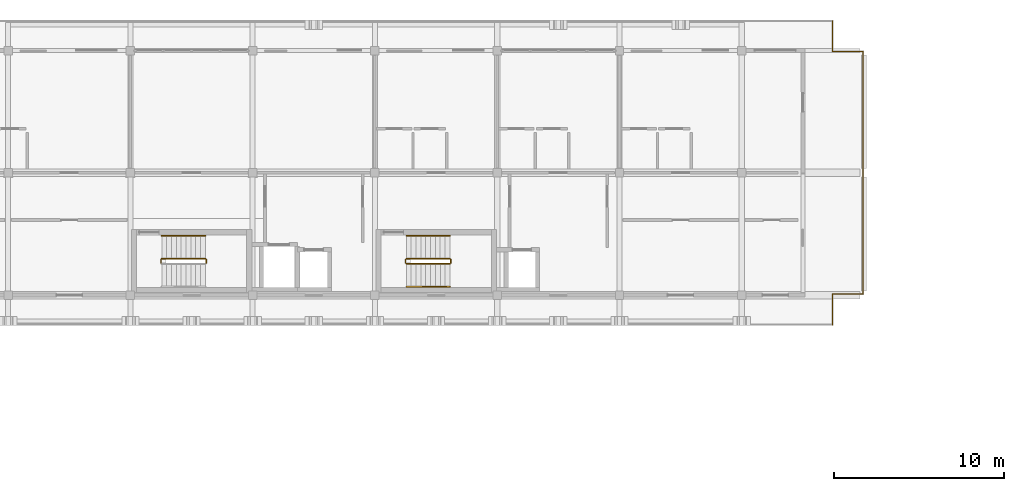
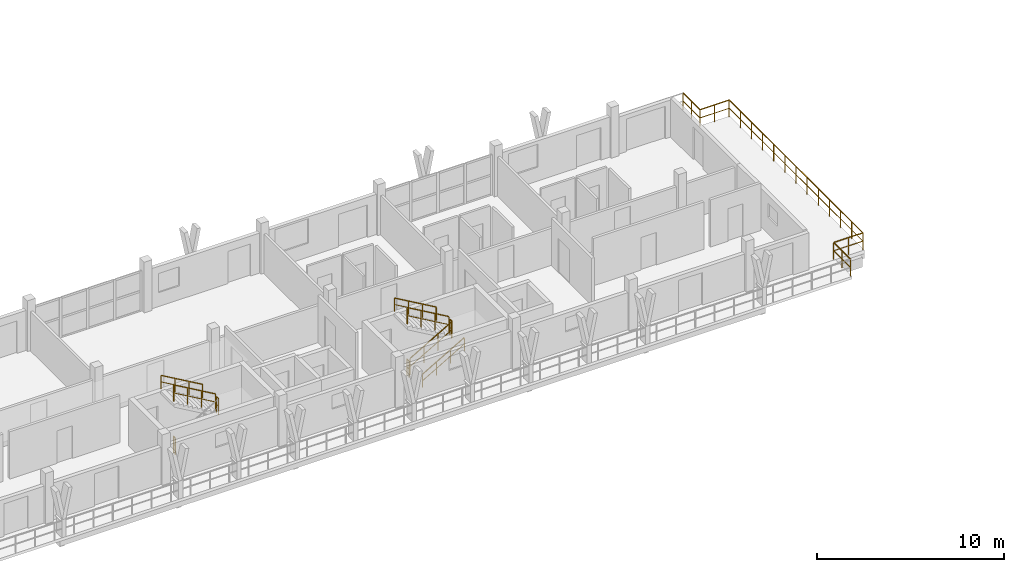
# One storey, part 18 of 19: 15 railings.
"""IFC4 building model written with IfcOpenShell, lengths in metres."""

from ifc_helpers import new_model, si_unit, direction, frame, origin, origin_2d, place, context, subcontext, project, spatial, rectangle, extrude, material, type_object, element, save


model = new_model("IFC4")

# Units and contexts
model_context = context("Model", 3, precision=1e-05, world=origin(), true_north=direction((0.0, 1.0)))
body_context = subcontext(model_context, "Body", "Model", "MODEL_VIEW")
ifc_project = project(units=[si_unit("LENGTHUNIT", "METRE"), si_unit("AREAUNIT", "SQUARE_METRE"), si_unit("VOLUMEUNIT", "CUBIC_METRE"), si_unit("PLANEANGLEUNIT", "RADIAN"), si_unit("MASSUNIT", "GRAM", prefix="KILO")], contexts=[model_context])

# Site, building, storey
site_placement = place(None, origin())
site = spatial("IfcSite", under=ifc_project, at=site_placement, CompositionType="ELEMENT")
building_placement = place(site_placement, origin())
building = spatial("IfcBuilding", under=site, at=building_placement, Name="Suanplinth Sawtooth Commons", CompositionType="ELEMENT")
storey_placement = place(building_placement, frame((0.0, 0.0, 44.39990234375)))
storey = spatial("IfcBuildingStorey", under=building, at=storey_placement, Name="L13", CompositionType="ELEMENT", Elevation=44.39990234375)

# Railings
ifc_material_1 = material(Name="Powder-coated galvanized steel", Category="steel")
railing_type_1 = type_object("IfcRailingType", Name="GR-01", PredefinedType="BALUSTRADE", material=ifc_material_1)
railing_1_placement = place(storey_placement, frame((84.5400390625, 124.139892578125, 0.0)))
element("IfcRailing", 1, at=railing_1_placement, inside=storey, type_object=railing_type_1, Name="L13 Block A Perimeter Balustrade 6", PredefinedType="BALUSTRADE", context=body_context, shape_type="SweptSolid", body=[
    extrude(rectangle(XDim=0.048095703125, YDim=0.048095703125, at=origin_2d()), frame((0.0, 0.0, 1.09619140625), z_axis=(0.0, -1.0, 0.0), x_axis=(1.0, 0.0, 0.0)), (0.0, 0.0, 1.0), 1.7998046875),
    extrude(rectangle(XDim=0.03369140625, YDim=0.03369140625, at=origin_2d()), frame((0.0, 0.0, 0.56005859375), z_axis=(0.0, -1.0, 0.0), x_axis=(1.0, 0.0, 0.0)), (0.0, 0.0, 1.0), 1.7998046875),
    extrude(rectangle(XDim=0.0419921875, YDim=0.0419921875, at=origin_2d()), origin(), (0.0, 0.0, 1.0), 1.072021484375),
    extrude(rectangle(XDim=0.0419921875, YDim=0.0419921875, at=origin_2d()), frame((0.0, -0.89990234375, 0.0)), (0.0, 0.0, 1.0), 1.072021484375),
    extrude(rectangle(XDim=0.0419921875, YDim=0.0419921875, at=origin_2d()), frame((0.0, -1.7998046875, 0.0)), (0.0, 0.0, 1.0), 1.072021484375),
])
railing_2_placement = place(storey_placement, frame((84.5400390625, 122.340087890625, 0.0)))
element("IfcRailing", 2, at=railing_2_placement, inside=storey, type_object=railing_type_1, Name="L13 Block A Perimeter Balustrade 7", PredefinedType="BALUSTRADE", context=body_context, shape_type="SweptSolid", body=[
    extrude(rectangle(XDim=0.048095703125, YDim=0.048095703125, at=origin_2d()), frame((0.0, 0.0, 1.09619140625), z_axis=(1.0, 0.0, 0.0), x_axis=(0.0, 1.0, 0.0)), (0.0, 0.0, 1.0), 1.800048828125),
    extrude(rectangle(XDim=0.03369140625, YDim=0.03369140625, at=origin_2d()), frame((0.0, 0.0, 0.56005859375), z_axis=(1.0, 0.0, 0.0), x_axis=(0.0, 1.0, 0.0)), (0.0, 0.0, 1.0), 1.800048828125),
    extrude(rectangle(XDim=0.0419921875, YDim=0.0419921875, at=origin_2d()), origin(), (0.0, 0.0, 1.0), 1.072021484375),
    extrude(rectangle(XDim=0.0419921875, YDim=0.0419921875, at=origin_2d()), frame((0.89990234375, 0.0, 0.0)), (0.0, 0.0, 1.0), 1.072021484375),
    extrude(rectangle(XDim=0.0419921875, YDim=0.0419921875, at=origin_2d()), frame((1.800048828125, 0.0, 0.0)), (0.0, 0.0, 1.0), 1.072021484375),
])
railing_3_placement = place(storey_placement, frame((86.340087890625, 122.340087890625, 0.0)))
element("IfcRailing", 3, at=railing_3_placement, inside=storey, type_object=railing_type_1, Name="L13 Block A Perimeter Balustrade 8", PredefinedType="BALUSTRADE", context=body_context, shape_type="SweptSolid", body=[
    extrude(rectangle(XDim=0.048095703125, YDim=0.048095703125, at=origin_2d()), frame((0.0, 0.0, 1.09619140625), z_axis=(0.0, -1.0, 0.0), x_axis=(1.0, 0.0, 0.0)), (0.0, 0.0, 1.0), 14.280029296875),
    extrude(rectangle(XDim=0.03369140625, YDim=0.03369140625, at=origin_2d()), frame((0.0, 0.0, 0.56005859375), z_axis=(0.0, -1.0, 0.0), x_axis=(1.0, 0.0, 0.0)), (0.0, 0.0, 1.0), 14.280029296875),
    extrude(rectangle(XDim=0.0419921875, YDim=0.0419921875, at=origin_2d()), origin(), (0.0, 0.0, 1.0), 1.072021484375),
    extrude(rectangle(XDim=0.0419921875, YDim=0.0419921875, at=origin_2d()), frame((0.0, -1.18994140625, 0.0)), (0.0, 0.0, 1.0), 1.072021484375),
    extrude(rectangle(XDim=0.0419921875, YDim=0.0419921875, at=origin_2d()), frame((0.0, -2.3798828125, 0.0)), (0.0, 0.0, 1.0), 1.072021484375),
    extrude(rectangle(XDim=0.0419921875, YDim=0.0419921875, at=origin_2d()), frame((0.0, -3.570068359375, 0.0)), (0.0, 0.0, 1.0), 1.072021484375),
    extrude(rectangle(XDim=0.0419921875, YDim=0.0419921875, at=origin_2d()), frame((0.0, -4.760009765625, 0.0)), (0.0, 0.0, 1.0), 1.072021484375),
    extrude(rectangle(XDim=0.0419921875, YDim=0.0419921875, at=origin_2d()), frame((0.0, -5.949951171875, 0.0)), (0.0, 0.0, 1.0), 1.072021484375),
    extrude(rectangle(XDim=0.0419921875, YDim=0.0419921875, at=origin_2d()), frame((0.0, -7.14013671875, 0.0)), (0.0, 0.0, 1.0), 1.072021484375),
    extrude(rectangle(XDim=0.0419921875, YDim=0.0419921875, at=origin_2d()), frame((0.0, -8.330078125, 0.0)), (0.0, 0.0, 1.0), 1.072021484375),
    extrude(rectangle(XDim=0.0419921875, YDim=0.0419921875, at=origin_2d()), frame((0.0, -9.52001953125, 0.0)), (0.0, 0.0, 1.0), 1.072021484375),
    extrude(rectangle(XDim=0.0419921875, YDim=0.0419921875, at=origin_2d()), frame((0.0, -10.7099609375, 0.0)), (0.0, 0.0, 1.0), 1.072021484375),
    extrude(rectangle(XDim=0.0419921875, YDim=0.0419921875, at=origin_2d()), frame((0.0, -11.89990234375, 0.0)), (0.0, 0.0, 1.0), 1.072021484375),
    extrude(rectangle(XDim=0.0419921875, YDim=0.0419921875, at=origin_2d()), frame((0.0, -13.090087890625, 0.0)), (0.0, 0.0, 1.0), 1.072021484375),
    extrude(rectangle(XDim=0.0419921875, YDim=0.0419921875, at=origin_2d()), frame((0.0, -14.280029296875, 0.0)), (0.0, 0.0, 1.0), 1.072021484375),
])
railing_4_placement = place(storey_placement, frame((86.340087890625, 108.06005859375, 0.0)))
element("IfcRailing", 4, at=railing_4_placement, inside=storey, type_object=railing_type_1, Name="L13 Block A Perimeter Balustrade 9", PredefinedType="BALUSTRADE", context=body_context, shape_type="SweptSolid", body=[
    extrude(rectangle(XDim=0.048095703125, YDim=0.048095703125, at=origin_2d()), frame((0.0, 0.0, 1.09619140625), z_axis=(-1.0, 0.0, 0.0), x_axis=(0.0, -1.0, 0.0)), (0.0, 0.0, 1.0), 1.800048828125),
    extrude(rectangle(XDim=0.03369140625, YDim=0.03369140625, at=origin_2d()), frame((0.0, 0.0, 0.56005859375), z_axis=(-1.0, 0.0, 0.0), x_axis=(0.0, -1.0, 0.0)), (0.0, 0.0, 1.0), 1.800048828125),
    extrude(rectangle(XDim=0.0419921875, YDim=0.0419921875, at=origin_2d()), origin(), (0.0, 0.0, 1.0), 1.072021484375),
    extrude(rectangle(XDim=0.0419921875, YDim=0.0419921875, at=origin_2d()), frame((-0.89990234375, 0.0, 0.0)), (0.0, 0.0, 1.0), 1.072021484375),
    extrude(rectangle(XDim=0.0419921875, YDim=0.0419921875, at=origin_2d()), frame((-1.800048828125, 0.0, 0.0)), (0.0, 0.0, 1.0), 1.072021484375),
])
railing_5_placement = place(storey_placement, frame((84.5400390625, 108.06005859375, 0.0)))
element("IfcRailing", 5, at=railing_5_placement, inside=storey, type_object=railing_type_1, Name="L13 Block A Perimeter Balustrade 10", PredefinedType="BALUSTRADE", context=body_context, shape_type="SweptSolid", body=[
    extrude(rectangle(XDim=0.048095703125, YDim=0.048095703125, at=origin_2d()), frame((0.0, 0.0, 1.09619140625), z_axis=(0.0, -1.0, 0.0), x_axis=(1.0, 0.0, 0.0)), (0.0, 0.0, 1.0), 1.800048828125),
    extrude(rectangle(XDim=0.03369140625, YDim=0.03369140625, at=origin_2d()), frame((0.0, 0.0, 0.56005859375), z_axis=(0.0, -1.0, 0.0), x_axis=(1.0, 0.0, 0.0)), (0.0, 0.0, 1.0), 1.800048828125),
    extrude(rectangle(XDim=0.0419921875, YDim=0.0419921875, at=origin_2d()), origin(), (0.0, 0.0, 1.0), 1.072021484375),
    extrude(rectangle(XDim=0.0419921875, YDim=0.0419921875, at=origin_2d()), frame((0.0, -0.89990234375, 0.0)), (0.0, 0.0, 1.0), 1.072021484375),
    extrude(rectangle(XDim=0.0419921875, YDim=0.0419921875, at=origin_2d()), frame((0.0, -1.800048828125, 0.0)), (0.0, 0.0, 1.0), 1.072021484375),
])
ifc_material_2 = material(Name="Stainless steel Grade 304", Category="steel")
railing_type_2 = type_object("IfcRailingType", Name="GR-04", PredefinedType="GUARDRAIL", material=ifc_material_2)
railing_6_placement = place(storey_placement, frame((47.6650390625, 109.89990234375, 1.650146484375)))
element("IfcRailing", 6, at=railing_6_placement, inside=storey, type_object=railing_type_2, Name="L13 ST-N1 Guard 2", PredefinedType="GUARDRAIL", context=body_context, shape_type="SweptSolid", body=[
    extrude(rectangle(XDim=0.048095703125, YDim=0.048095703125, at=origin_2d()), frame((0.0, 0.0, 1.076171875), z_axis=(0.0, 1.0, 0.0), x_axis=(-1.0, 0.0, 0.0)), (0.0, 0.0, 1.0), 0.2001953125),
    extrude(rectangle(XDim=0.03369140625, YDim=0.03369140625, at=origin_2d()), frame((0.0, 0.0, 0.550048828125), z_axis=(0.0, 1.0, 0.0), x_axis=(-1.0, 0.0, 0.0)), (0.0, 0.0, 1.0), 0.2001953125),
    extrude(rectangle(XDim=0.0419921875, YDim=0.0419921875, at=origin_2d()), origin(), (0.0, 0.0, 1.0), 1.052001953125),
    extrude(rectangle(XDim=0.0419921875, YDim=0.0419921875, at=origin_2d()), frame((0.0, 0.2001953125, 0.0)), (0.0, 0.0, 1.0), 1.052001953125),
])
railing_7_placement = place(storey_placement, frame((47.614990234375, 110.14990234375, 1.815185546875)))
element("IfcRailing", 7, at=railing_7_placement, inside=storey, type_object=railing_type_2, Name="L13 ST-N1 Guard 3", PredefinedType="GUARDRAIL", context=body_context, shape_type="SweptSolid", body=[
    extrude(rectangle(XDim=0.048095703125, YDim=0.048095703125, at=origin_2d()), frame((0.0, 0.0, 1.076171875), z_axis=(-0.865441324677, 0.0, 0.50101029285), x_axis=(0.0, -1.0, 0.0)), (0.0, 0.0, 1.0), 2.963623046875),
    extrude(rectangle(XDim=0.03369140625, YDim=0.03369140625, at=origin_2d()), frame((0.0, 0.0, 0.550048828125), z_axis=(-0.865441324677, 0.0, 0.50101029285), x_axis=(0.0, -1.0, 0.0)), (0.0, 0.0, 1.0), 2.963623046875),
    extrude(rectangle(XDim=0.0419921875, YDim=0.0419921875, at=origin_2d()), origin(), (0.0, 0.0, 1.0), 1.052001953125),
    extrude(rectangle(XDim=0.0419921875, YDim=0.0419921875, at=origin_2d()), frame((-0.85498046875, 0.0, 0.494873046875)), (0.0, 0.0, 1.0), 1.052001953125),
    extrude(rectangle(XDim=0.0419921875, YDim=0.0419921875, at=origin_2d()), frame((-1.7099609375, 0.0, 0.989990234375)), (0.0, 0.0, 1.0), 1.052001953125),
    extrude(rectangle(XDim=0.0419921875, YDim=0.0419921875, at=origin_2d()), frame((-2.56494140625, 0.0, 1.48486328125)), (0.0, 0.0, 1.0), 1.052001953125),
])
railing_8_placement = place(storey_placement, frame((45.0, 109.89990234375, 0.0)))
element("IfcRailing", 8, at=railing_8_placement, inside=storey, type_object=railing_type_2, Name="L13 ST-N1 Guard 4", PredefinedType="GUARDRAIL", context=body_context, shape_type="SweptSolid", body=[
    extrude(rectangle(XDim=0.048095703125, YDim=0.048095703125, at=origin_2d()), frame((0.0, 0.0, 1.076171875), z_axis=(0.0, 1.0, 0.0), x_axis=(-1.0, 0.0, 0.0)), (0.0, 0.0, 1.0), 0.2001953125),
    extrude(rectangle(XDim=0.03369140625, YDim=0.03369140625, at=origin_2d()), frame((0.0, 0.0, 0.550048828125), z_axis=(0.0, 1.0, 0.0), x_axis=(-1.0, 0.0, 0.0)), (0.0, 0.0, 1.0), 0.2001953125),
    extrude(rectangle(XDim=0.0419921875, YDim=0.0419921875, at=origin_2d()), origin(), (0.0, 0.0, 1.0), 1.052001953125),
    extrude(rectangle(XDim=0.0419921875, YDim=0.0419921875, at=origin_2d()), frame((0.0, 0.2001953125, 0.0)), (0.0, 0.0, 1.0), 1.052001953125),
])
railing_9_placement = place(storey_placement, frame((59.449951171875, 109.85009765625, 0.1650390625)))
element("IfcRailing", 9, at=railing_9_placement, inside=storey, type_object=railing_type_2, Name="L13 ST-N2 Guard 1", PredefinedType="GUARDRAIL", context=body_context, shape_type="SweptSolid", body=[
    extrude(rectangle(XDim=0.048095703125, YDim=0.048095703125, at=origin_2d()), frame((0.0, 0.0, 1.076171875), z_axis=(0.865405606168, 0.0, 0.501071987656), x_axis=(0.0, 1.0, 0.0)), (0.0, 0.0, 1.0), 2.9638671875),
    extrude(rectangle(XDim=0.03369140625, YDim=0.03369140625, at=origin_2d()), frame((0.0, 0.0, 0.550048828125), z_axis=(0.865405606168, 0.0, 0.501071987656), x_axis=(0.0, 1.0, 0.0)), (0.0, 0.0, 1.0), 2.9638671875),
    extrude(rectangle(XDim=0.0419921875, YDim=0.0419921875, at=origin_2d()), origin(), (0.0, 0.0, 1.0), 1.052001953125),
    extrude(rectangle(XDim=0.0419921875, YDim=0.0419921875, at=origin_2d()), frame((0.85498046875, 0.0, 0.4951171875)), (0.0, 0.0, 1.0), 1.052001953125),
    extrude(rectangle(XDim=0.0419921875, YDim=0.0419921875, at=origin_2d()), frame((1.7099609375, 0.0, 0.989990234375)), (0.0, 0.0, 1.0), 1.052001953125),
    extrude(rectangle(XDim=0.0419921875, YDim=0.0419921875, at=origin_2d()), frame((2.56494140625, 0.0, 1.485107421875)), (0.0, 0.0, 1.0), 1.052001953125),
])
railing_10_placement = place(storey_placement, frame((62.06494140625, 109.89990234375, 1.650146484375)))
element("IfcRailing", 10, at=railing_10_placement, inside=storey, type_object=railing_type_2, Name="L13 ST-N2 Guard 2", PredefinedType="GUARDRAIL", context=body_context, shape_type="SweptSolid", body=[
    extrude(rectangle(XDim=0.048095703125, YDim=0.048095703125, at=origin_2d()), frame((0.0, 0.0, 1.076171875), z_axis=(0.0, 1.0, 0.0), x_axis=(-1.0, 0.0, 0.0)), (0.0, 0.0, 1.0), 0.2001953125),
    extrude(rectangle(XDim=0.03369140625, YDim=0.03369140625, at=origin_2d()), frame((0.0, 0.0, 0.550048828125), z_axis=(0.0, 1.0, 0.0), x_axis=(-1.0, 0.0, 0.0)), (0.0, 0.0, 1.0), 0.2001953125),
    extrude(rectangle(XDim=0.0419921875, YDim=0.0419921875, at=origin_2d()), origin(), (0.0, 0.0, 1.0), 1.052001953125),
    extrude(rectangle(XDim=0.0419921875, YDim=0.0419921875, at=origin_2d()), frame((0.0, 0.2001953125, 0.0)), (0.0, 0.0, 1.0), 1.052001953125),
])
railing_11_placement = place(storey_placement, frame((62.014892578125, 110.14990234375, 1.815185546875)))
element("IfcRailing", 11, at=railing_11_placement, inside=storey, type_object=railing_type_2, Name="L13 ST-N2 Guard 3", PredefinedType="GUARDRAIL", context=body_context, shape_type="SweptSolid", body=[
    extrude(rectangle(XDim=0.048095703125, YDim=0.048095703125, at=origin_2d()), frame((0.0, 0.0, 1.076171875), z_axis=(-0.865441324677, 0.0, 0.50101029285), x_axis=(0.0, -1.0, 0.0)), (0.0, 0.0, 1.0), 2.963623046875),
    extrude(rectangle(XDim=0.03369140625, YDim=0.03369140625, at=origin_2d()), frame((0.0, 0.0, 0.550048828125), z_axis=(-0.865441324677, 0.0, 0.50101029285), x_axis=(0.0, -1.0, 0.0)), (0.0, 0.0, 1.0), 2.963623046875),
    extrude(rectangle(XDim=0.0419921875, YDim=0.0419921875, at=origin_2d()), origin(), (0.0, 0.0, 1.0), 1.052001953125),
    extrude(rectangle(XDim=0.0419921875, YDim=0.0419921875, at=origin_2d()), frame((-0.85498046875, 0.0, 0.494873046875)), (0.0, 0.0, 1.0), 1.052001953125),
    extrude(rectangle(XDim=0.0419921875, YDim=0.0419921875, at=origin_2d()), frame((-1.7099609375, 0.0, 0.989990234375)), (0.0, 0.0, 1.0), 1.052001953125),
    extrude(rectangle(XDim=0.0419921875, YDim=0.0419921875, at=origin_2d()), frame((-2.56494140625, 0.0, 1.48486328125)), (0.0, 0.0, 1.0), 1.052001953125),
])
railing_12_placement = place(storey_placement, frame((59.39990234375, 109.89990234375, 0.0)))
element("IfcRailing", 12, at=railing_12_placement, inside=storey, type_object=railing_type_2, Name="L13 ST-N2 Guard 4", PredefinedType="GUARDRAIL", context=body_context, shape_type="SweptSolid", body=[
    extrude(rectangle(XDim=0.048095703125, YDim=0.048095703125, at=origin_2d()), frame((0.0, 0.0, 1.076171875), z_axis=(0.0, 1.0, 0.0), x_axis=(-1.0, 0.0, 0.0)), (0.0, 0.0, 1.0), 0.2001953125),
    extrude(rectangle(XDim=0.03369140625, YDim=0.03369140625, at=origin_2d()), frame((0.0, 0.0, 0.550048828125), z_axis=(0.0, 1.0, 0.0), x_axis=(-1.0, 0.0, 0.0)), (0.0, 0.0, 1.0), 0.2001953125),
    extrude(rectangle(XDim=0.0419921875, YDim=0.0419921875, at=origin_2d()), origin(), (0.0, 0.0, 1.0), 1.052001953125),
    extrude(rectangle(XDim=0.0419921875, YDim=0.0419921875, at=origin_2d()), frame((0.0, 0.2001953125, 0.0)), (0.0, 0.0, 1.0), 1.052001953125),
])
railing_type_3 = type_object("IfcRailingType", Name="HR-01", PredefinedType="HANDRAIL", material=ifc_material_2)
railing_13_placement = place(storey_placement, frame((47.614990234375, 111.5, 1.815185546875)))
element("IfcRailing", 13, at=railing_13_placement, inside=storey, type_object=railing_type_3, Name="L13 ST-N1 Handrail 2", PredefinedType="HANDRAIL", context=body_context, shape_type="SweptSolid", body=[
    extrude(rectangle(XDim=0.048095703125, YDim=0.048095703125, at=origin_2d()), frame((0.0, 0.0, 0.8759765625), z_axis=(-0.865441324677, 0.0, 0.50101029285), x_axis=(0.0, -1.0, 0.0)), (0.0, 0.0, 1.0), 2.963623046875),
    extrude(rectangle(XDim=0.03369140625, YDim=0.03369140625, at=origin_2d()), frame((0.0, 0.0, 0.449951171875), z_axis=(-0.865441324677, 0.0, 0.50101029285), x_axis=(0.0, -1.0, 0.0)), (0.0, 0.0, 1.0), 2.963623046875),
    extrude(rectangle(XDim=0.0419921875, YDim=0.0419921875, at=origin_2d()), origin(), (0.0, 0.0, 1.0), 0.851806640625),
    extrude(rectangle(XDim=0.0419921875, YDim=0.0419921875, at=origin_2d()), frame((-0.85498046875, 0.0, 0.494873046875)), (0.0, 0.0, 1.0), 0.851806640625),
    extrude(rectangle(XDim=0.0419921875, YDim=0.0419921875, at=origin_2d()), frame((-1.7099609375, 0.0, 0.989990234375)), (0.0, 0.0, 1.0), 0.851806640625),
    extrude(rectangle(XDim=0.0419921875, YDim=0.0419921875, at=origin_2d()), frame((-2.56494140625, 0.0, 1.48486328125)), (0.0, 0.0, 1.0), 0.851806640625),
])
railing_14_placement = place(storey_placement, frame((59.449951171875, 108.5, 0.1650390625)))
element("IfcRailing", 14, at=railing_14_placement, inside=storey, type_object=railing_type_3, Name="L13 ST-N2 Handrail 1", PredefinedType="HANDRAIL", context=body_context, shape_type="SweptSolid", body=[
    extrude(rectangle(XDim=0.048095703125, YDim=0.048095703125, at=origin_2d()), frame((0.0, 0.0, 0.8759765625), z_axis=(0.865405606168, 0.0, 0.501071987656), x_axis=(0.0, 1.0, 0.0)), (0.0, 0.0, 1.0), 2.9638671875),
    extrude(rectangle(XDim=0.03369140625, YDim=0.03369140625, at=origin_2d()), frame((0.0, 0.0, 0.449951171875), z_axis=(0.865405606168, 0.0, 0.501071987656), x_axis=(0.0, 1.0, 0.0)), (0.0, 0.0, 1.0), 2.9638671875),
    extrude(rectangle(XDim=0.0419921875, YDim=0.0419921875, at=origin_2d()), origin(), (0.0, 0.0, 1.0), 0.851806640625),
    extrude(rectangle(XDim=0.0419921875, YDim=0.0419921875, at=origin_2d()), frame((0.85498046875, 0.0, 0.4951171875)), (0.0, 0.0, 1.0), 0.851806640625),
    extrude(rectangle(XDim=0.0419921875, YDim=0.0419921875, at=origin_2d()), frame((1.7099609375, 0.0, 0.989990234375)), (0.0, 0.0, 1.0), 0.851806640625),
    extrude(rectangle(XDim=0.0419921875, YDim=0.0419921875, at=origin_2d()), frame((2.56494140625, 0.0, 1.485107421875)), (0.0, 0.0, 1.0), 0.851806640625),
])
railing_15_placement = place(storey_placement, frame((62.014892578125, 111.5, 1.815185546875)))
element("IfcRailing", 15, at=railing_15_placement, inside=storey, type_object=railing_type_3, Name="L13 ST-N2 Handrail 2", PredefinedType="HANDRAIL", context=body_context, shape_type="SweptSolid", body=[
    extrude(rectangle(XDim=0.048095703125, YDim=0.048095703125, at=origin_2d()), frame((0.0, 0.0, 0.8759765625), z_axis=(-0.865441324677, 0.0, 0.50101029285), x_axis=(0.0, -1.0, 0.0)), (0.0, 0.0, 1.0), 2.963623046875),
    extrude(rectangle(XDim=0.03369140625, YDim=0.03369140625, at=origin_2d()), frame((0.0, 0.0, 0.449951171875), z_axis=(-0.865441324677, 0.0, 0.50101029285), x_axis=(0.0, -1.0, 0.0)), (0.0, 0.0, 1.0), 2.963623046875),
    extrude(rectangle(XDim=0.0419921875, YDim=0.0419921875, at=origin_2d()), origin(), (0.0, 0.0, 1.0), 0.851806640625),
    extrude(rectangle(XDim=0.0419921875, YDim=0.0419921875, at=origin_2d()), frame((-0.85498046875, 0.0, 0.494873046875)), (0.0, 0.0, 1.0), 0.851806640625),
    extrude(rectangle(XDim=0.0419921875, YDim=0.0419921875, at=origin_2d()), frame((-1.7099609375, 0.0, 0.989990234375)), (0.0, 0.0, 1.0), 0.851806640625),
    extrude(rectangle(XDim=0.0419921875, YDim=0.0419921875, at=origin_2d()), frame((-2.56494140625, 0.0, 1.48486328125)), (0.0, 0.0, 1.0), 0.851806640625),
])

save(model, "model.ifc")
